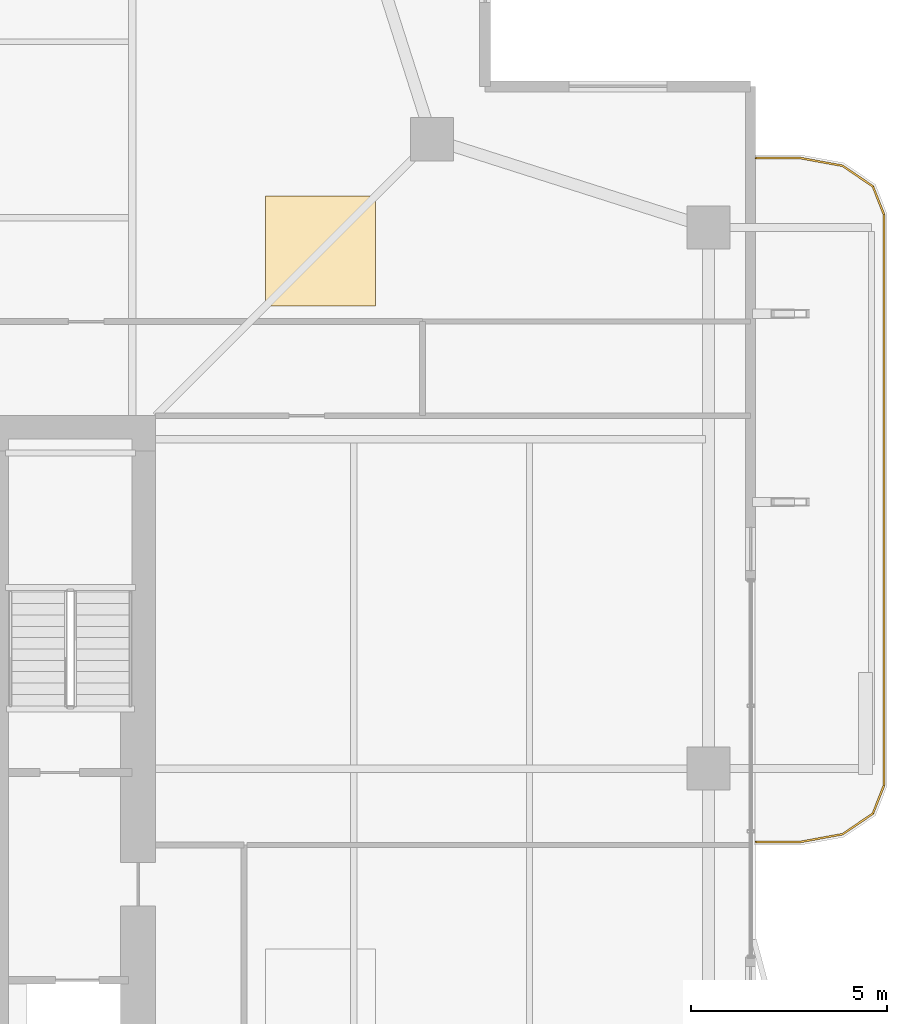
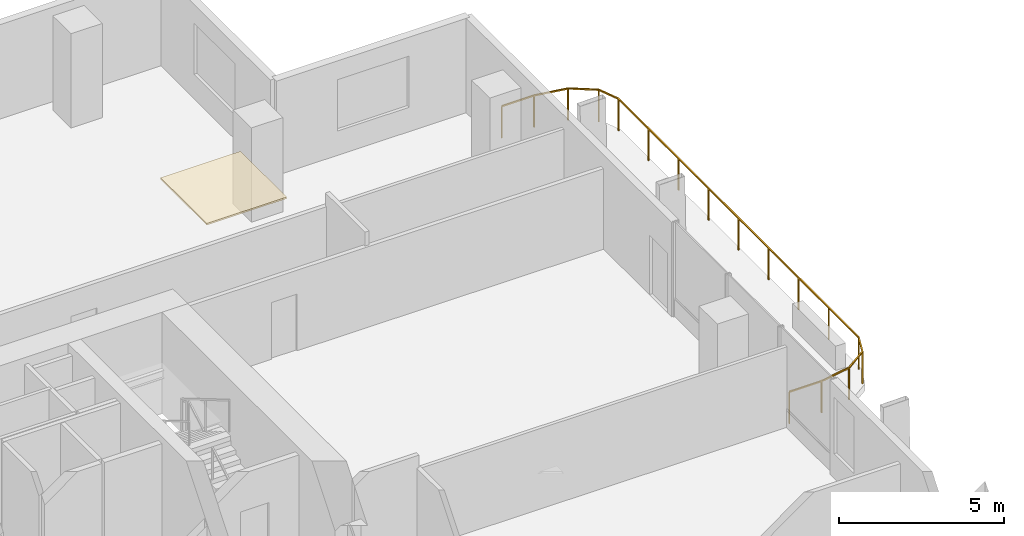
# One storey, part 25 of 25: 1 covering, 1 railing.
"""IFC4 building model written with IfcOpenShell, lengths in metres."""

from ifc_helpers import new_model, si_unit, direction, frame, origin, origin_2d, place, context, subcontext, project, spatial, polyline, rectangle, outline, extrude, material, layer, layer_set, type_object, element, save


model = new_model("IFC4")

# Units and contexts
model_context = context("Model", 3, precision=1e-05, world=origin(), true_north=direction((0.0, 1.0)))
body_context = subcontext(model_context, "Body", "Model", "MODEL_VIEW")
ifc_project = project(units=[si_unit("LENGTHUNIT", "METRE"), si_unit("AREAUNIT", "SQUARE_METRE"), si_unit("VOLUMEUNIT", "CUBIC_METRE"), si_unit("PLANEANGLEUNIT", "RADIAN"), si_unit("MASSUNIT", "GRAM", prefix="KILO")], contexts=[model_context])

# Site, building, storey
site_placement = place(None, origin())
site = spatial("IfcSite", under=ifc_project, at=site_placement, CompositionType="ELEMENT")
building_placement = place(site_placement, origin())
building = spatial("IfcBuilding", under=site, at=building_placement, Name="Belovzor Exchange Tower", CompositionType="ELEMENT")
storey_placement = place(building_placement, frame((0.0, 0.0, 175.800048828125)))
storey = spatial("IfcBuildingStorey", under=building, at=storey_placement, Name="L43", CompositionType="ELEMENT", Elevation=175.800048828125)

# Railing
ifc_material_1 = material(Name="Stainless Steel and Laminated Safety Glass", Category="steel")
railing_type = type_object("IfcRailingType", Name="Laminated Glass & Stainless Steel Balcony Balustrade 1200", PredefinedType="BALUSTRADE", material=ifc_material_1)
railing_placement = place(storey_placement, frame((53.110107421875, 26.929931640625, 0.0)))
element("IfcRailing", 1, at=railing_placement, inside=storey, type_object=railing_type, Name="GR-1 Balcony Balustrade L43 East", PredefinedType="BALUSTRADE", context=body_context, shape_type="SweptSolid", body=[
    extrude(rectangle(XDim=0.048095703125, YDim=0.048095703125, at=origin_2d()), frame((0.0, 0.0, 1.17578125), z_axis=(1.0, 0.0, 0.0), x_axis=(0.0, 1.0, 0.0)), (0.0, 0.0, 1.0), 1.1328125),
    extrude(rectangle(XDim=0.048095703125, YDim=0.048095703125, at=origin_2d()), frame((1.1328125, 0.0, 1.17578125), z_axis=(0.983651385113, 0.180083182347, 0.0), x_axis=(-0.180083182347, 0.983651385113, 0.0)), (0.0, 0.0, 1.0), 1.093994140625),
    extrude(rectangle(XDim=0.048095703125, YDim=0.048095703125, at=origin_2d()), frame((2.208984375, 0.197021484375, 1.17578125), z_axis=(0.826493025367, 0.56294695933, 0.0), x_axis=(-0.56294695933, 0.826493025367, 0.0)), (0.0, 0.0, 1.0), 0.932861328125),
    extrude(rectangle(XDim=0.048095703125, YDim=0.048095703125, at=origin_2d()), frame((2.97998046875, 0.72216796875, 1.17578125), z_axis=(0.365612923861, 0.930766990125, 0.0), x_axis=(-0.930766990125, 0.365612923861, 0.0)), (0.0, 0.0, 1.0), 0.765869140625),
    extrude(rectangle(XDim=0.048095703125, YDim=0.048095703125, at=origin_2d()), frame((3.260009765625, 1.43505859375, 1.17578125), z_axis=(0.0, 1.0, 0.0), x_axis=(-1.0, 0.0, 0.0)), (0.0, 0.0, 1.0), 14.570068359375),
    extrude(rectangle(XDim=0.048095703125, YDim=0.048095703125, at=origin_2d()), frame((3.260009765625, 16.005126953125, 1.17578125), z_axis=(-0.365612923861, 0.930766990125, 0.0), x_axis=(-0.930766990125, -0.365612923861, 0.0)), (0.0, 0.0, 1.0), 0.765869140625),
    extrude(rectangle(XDim=0.048095703125, YDim=0.048095703125, at=origin_2d()), frame((2.97998046875, 16.718017578125, 1.17578125), z_axis=(-0.826493025367, 0.56294695933, 0.0), x_axis=(-0.56294695933, -0.826493025367, 0.0)), (0.0, 0.0, 1.0), 0.932861328125),
    extrude(rectangle(XDim=0.048095703125, YDim=0.048095703125, at=origin_2d()), frame((2.208984375, 17.2431640625, 1.17578125), z_axis=(-0.983651385113, 0.180083182347, 0.0), x_axis=(-0.180083182347, -0.983651385113, 0.0)), (0.0, 0.0, 1.0), 1.093994140625),
    extrude(rectangle(XDim=0.048095703125, YDim=0.048095703125, at=origin_2d()), frame((1.1328125, 17.440185546875, 1.17578125), z_axis=(-1.0, 0.0, 0.0), x_axis=(0.0, -1.0, 0.0)), (0.0, 0.0, 1.0), 1.1328125),
    extrude(rectangle(XDim=0.0419921875, YDim=0.0419921875, at=origin_2d()), origin(), (0.0, 0.0, 1.0), 1.15185546875),
    extrude(rectangle(XDim=0.0419921875, YDim=0.0419921875, at=origin_2d()), frame((1.1328125, 0.0, 0.0)), (0.0, 0.0, 1.0), 1.15185546875),
    extrude(rectangle(XDim=0.0419921875, YDim=0.0419921875, at=origin_2d()), frame((2.208984375, 0.197021484375, 0.0)), (0.0, 0.0, 1.0), 1.15185546875),
    extrude(rectangle(XDim=0.0419921875, YDim=0.0419921875, at=origin_2d()), frame((2.97998046875, 0.72216796875, 0.0)), (0.0, 0.0, 1.0), 1.15185546875),
    extrude(rectangle(XDim=0.0419921875, YDim=0.0419921875, at=origin_2d()), frame((3.260009765625, 1.43505859375, 0.0)), (0.0, 0.0, 1.0), 1.15185546875),
    extrude(rectangle(XDim=0.0419921875, YDim=0.0419921875, at=origin_2d()), frame((3.260009765625, 3.25634765625, 0.0)), (0.0, 0.0, 1.0), 1.15185546875),
    extrude(rectangle(XDim=0.0419921875, YDim=0.0419921875, at=origin_2d()), frame((3.260009765625, 5.07763671875, 0.0)), (0.0, 0.0, 1.0), 1.15185546875),
    extrude(rectangle(XDim=0.0419921875, YDim=0.0419921875, at=origin_2d()), frame((3.260009765625, 6.89892578125, 0.0)), (0.0, 0.0, 1.0), 1.15185546875),
    extrude(rectangle(XDim=0.0419921875, YDim=0.0419921875, at=origin_2d()), frame((3.260009765625, 8.72021484375, 0.0)), (0.0, 0.0, 1.0), 1.15185546875),
    extrude(rectangle(XDim=0.0419921875, YDim=0.0419921875, at=origin_2d()), frame((3.260009765625, 10.541259765625, 0.0)), (0.0, 0.0, 1.0), 1.15185546875),
    extrude(rectangle(XDim=0.0419921875, YDim=0.0419921875, at=origin_2d()), frame((3.260009765625, 12.362548828125, 0.0)), (0.0, 0.0, 1.0), 1.15185546875),
    extrude(rectangle(XDim=0.0419921875, YDim=0.0419921875, at=origin_2d()), frame((3.260009765625, 14.183837890625, 0.0)), (0.0, 0.0, 1.0), 1.15185546875),
    extrude(rectangle(XDim=0.0419921875, YDim=0.0419921875, at=origin_2d()), frame((3.260009765625, 16.005126953125, 0.0)), (0.0, 0.0, 1.0), 1.15185546875),
    extrude(rectangle(XDim=0.0419921875, YDim=0.0419921875, at=origin_2d()), frame((2.97998046875, 16.718017578125, 0.0)), (0.0, 0.0, 1.0), 1.15185546875),
    extrude(rectangle(XDim=0.0419921875, YDim=0.0419921875, at=origin_2d()), frame((2.208984375, 17.2431640625, 0.0)), (0.0, 0.0, 1.0), 1.15185546875),
    extrude(rectangle(XDim=0.0419921875, YDim=0.0419921875, at=origin_2d()), frame((1.1328125, 17.440185546875, 0.0)), (0.0, 0.0, 1.0), 1.15185546875),
    extrude(rectangle(XDim=0.0419921875, YDim=0.0419921875, at=origin_2d()), frame((0.0, 17.440185546875, 0.0)), (0.0, 0.0, 1.0), 1.15185546875),
])

# Covering
ifc_material_2 = material(Name="Perforated Powder-Coated Aluminium", Category="aluminium")
ifc_layer = layer(ifc_material_2, 0.06005859375)
ifc_layer_set = layer_set([ifc_layer], Name="Perforated Powder-Coated Aluminium")
covering_type = type_object("IfcCoveringType", Name="Perforated Acoustic Metal Tile Suspended Ceiling 60", PredefinedType="CEILING", material=ifc_layer_set)
covering_placement = place(storey_placement, frame((0.0, 0.0, 3.43505859375)))
element("IfcCovering", 2, at=covering_placement, inside=storey, type_object=covering_type, Name="CLG-AC60 Suspended Ceiling CLG-L43-Z1", PredefinedType="CEILING", context=body_context, shape_type="SweptSolid", body=[
    extrude(outline(polyline([(40.60009765625, 40.60009765625), (43.39990234375, 40.60009765625), (43.39990234375, 43.39990234375), (40.60009765625, 43.39990234375), (40.60009765625, 40.60009765625)])), origin(), (0.0, 0.0, 1.0), 0.059814453125),
])

save(model, "model.ifc")
